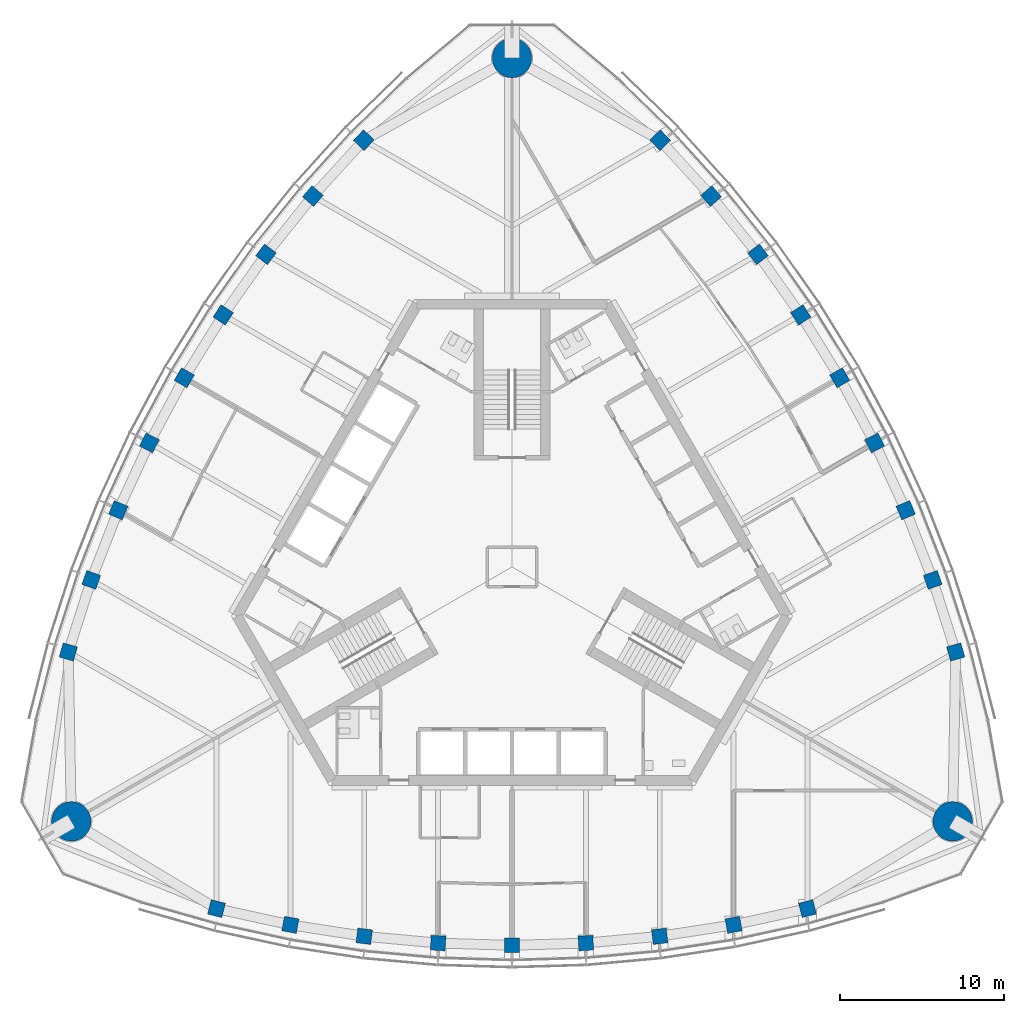
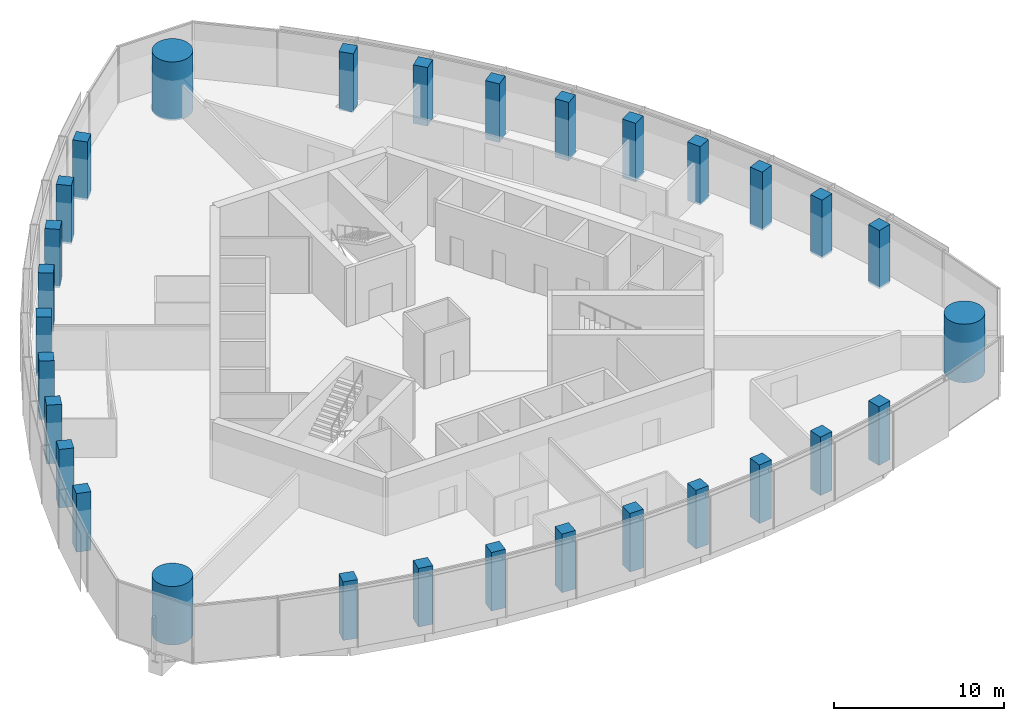
# One storey, part 1 of 16: 30 columns.
"""IFC4 building model written with IfcOpenShell, lengths in metres."""

from ifc_helpers import new_model, si_unit, direction, frame, origin, origin_2d, place, context, subcontext, project, spatial, rectangle, circle, extrude, material, material_profile, profile_set, type_object, element, save


model = new_model("IFC4")

# Units and contexts
model_context = context("Model", 3, precision=1e-05, world=origin(), true_north=direction((0.0, 1.0)))
body_context = subcontext(model_context, "Body", "Model", "MODEL_VIEW")
ifc_project = project(units=[si_unit("LENGTHUNIT", "METRE"), si_unit("AREAUNIT", "SQUARE_METRE"), si_unit("VOLUMEUNIT", "CUBIC_METRE"), si_unit("PLANEANGLEUNIT", "RADIAN"), si_unit("MASSUNIT", "GRAM", prefix="KILO")], contexts=[model_context])

# Site, building, storey
site_placement = place(None, origin())
site = spatial("IfcSite", under=ifc_project, at=site_placement, CompositionType="ELEMENT")
building_placement = place(site_placement, origin())
building = spatial("IfcBuilding", under=site, at=building_placement, Name="Trefoil Bronze Tower", CompositionType="ELEMENT")
storey_placement = place(building_placement, frame((0.0, 0.0, 314.10009765625)))
storey = spatial("IfcBuildingStorey", under=building, at=storey_placement, Name="L72", CompositionType="ELEMENT", Elevation=314.10009765625)

# Columns
ifc_material_1 = material(Name="Concrete B80", Category="concrete")
ifc_material_profile_1 = material_profile(ifc_material_1, circle(Radius=1.199951171875, at=origin_2d()), Name="RC D2400")
ifc_profile_set_1 = profile_set([ifc_material_profile_1], Name="Concrete B80")
column_type_1 = type_object("IfcColumnType", Name="Mega column RC D2400", PredefinedType="COLUMN", material=ifc_profile_set_1)
for number, where, z_axis, x_axis, name in (
    (1, (26.8466796875, -15.5, 0.0), (0.0, 0.0, 1.0), (1.0, 0.0, 0.0), "Mega column K1 L72"),
    (2, (0.0, 31.0, 0.0), (0.0, 0.0, 1.0), (1.0, 0.0, 0.0), "Mega column K2 L72"),
    (3, (-26.8466796875, -15.5, 0.0), (0.0, 0.0, 1.0), (1.0, 0.0, 0.0), "Mega column K3 L72"),
):
    element("IfcColumn", number, at=place(storey_placement, frame(where, z_axis=z_axis, x_axis=x_axis)), inside=storey, type_object=column_type_1, Name=name, PredefinedType="COLUMN", context=body_context, shape_type="SweptSolid", body=[
        extrude(circle(Radius=1.199951171875, at=origin_2d()), origin(), (0.0, 0.0, 1.0), 4.199951171875),
    ])
ifc_material_2 = material(Name="Concrete B80", Category="concrete")
ifc_material_profile_2 = material_profile(ifc_material_2, rectangle(XDim=0.89990234375, YDim=0.89990234375, at=origin_2d()), Name="RC 900x900")
ifc_profile_set_2 = profile_set([ifc_material_profile_2], Name="Concrete B80")
column_type_2 = type_object("IfcColumnType", Name="Tube column RC 900x900", PredefinedType="COLUMN", material=ifc_profile_set_2)
for number, where, z_axis, x_axis, name in (
    (4, (-18.0, -20.816162109375, 0.0), (0.0, 0.0, 1.0), (0.97017777199, -0.242394494031, 0.0), "Tube column F1/-4 L72"),
    (5, (-13.5, -21.802734375, 0.0), (0.0, 0.0, 1.0), (0.983360067227, -0.181667218242, 0.0), "Tube column F1/-3 L72"),
    (6, (-9.0, -22.499267578125, 0.0), (0.0, 0.0, 1.0), (0.992639174109, -0.121109330868, 0.0), "Tube column F1/-2 L72"),
    (7, (-4.5, -22.913818359375, 0.0), (0.0, 0.0, 1.0), (0.998164920349, -0.060554040199, 0.0), "Tube column F1/-1 L72"),
    (8, (0.0, -23.051513671875, 0.0), (0.0, 0.0, 1.0), (1.0, 0.0, 0.0), "Tube column F1/+0 L72"),
    (9, (4.5, -22.913818359375, 0.0), (0.0, 0.0, 1.0), (0.998164920349, 0.060554040199, 0.0), "Tube column F1/+1 L72"),
    (10, (9.0, -22.499267578125, 0.0), (0.0, 0.0, 1.0), (0.992639174109, 0.121109330868, 0.0), "Tube column F1/+2 L72"),
    (11, (13.5, -21.802734375, 0.0), (0.0, 0.0, 1.0), (0.983360067227, 0.181667218242, 0.0), "Tube column F1/+3 L72"),
    (12, (18.0, -20.816162109375, 0.0), (0.0, 0.0, 1.0), (0.97017777199, 0.242394494031, 0.0), "Tube column F1/+4 L72"),
    (13, (27.02734375, -5.180419921875, 0.0), (0.0, 0.0, 1.0), (-0.275169096426, 0.961395843746, 0.0), "Tube column F2/-4 L72"),
    (14, (25.631591796875, -0.7900390625, 0.0), (0.0, 0.0, 1.0), (-0.334351607581, 0.942448408407, 0.0), "Tube column F2/-3 L72"),
    (15, (23.98486328125, 3.455322265625, 0.0), (0.0, 0.0, 1.0), (-0.391435829888, 0.920205407004, 0.0), "Tube column F2/-2 L72"),
    (16, (22.093994140625, 7.559814453125, 0.0), (0.0, 0.0, 1.0), (-0.44664112306, 0.894713198289, 0.0), "Tube column F2/-1 L72"),
    (17, (19.96337890625, 11.52587890625, 0.0), (0.0, 0.0, 1.0), (-0.5, 0.866025403784, 0.0), "Tube column F2/+0 L72"),
    (18, (17.593994140625, 15.35400390625, 0.0), (0.0, 0.0, 1.0), (-0.551523797289, 0.834159158089, 0.0), "Tube column F2/+1 L72"),
    (19, (14.98486328125, 19.043701171875, 0.0), (0.0, 0.0, 1.0), (-0.601203344222, 0.799096076136, 0.0), "Tube column F2/+2 L72"),
    (20, (12.131591796875, 22.5927734375, 0.0), (0.0, 0.0, 1.0), (-0.649008459646, 0.760781190165, 0.0), "Tube column F2/+3 L72"),
    (21, (9.02734375, 25.99658203125, 0.0), (0.0, 0.0, 1.0), (-0.695008675564, 0.719001349715, 0.0), "Tube column F2/+4 L72"),
    (22, (-9.02734375, 25.99658203125, 0.0), (0.0, 0.0, 1.0), (-0.695008675564, -0.719001349715, 0.0), "Tube column F3/-4 L72"),
    (23, (-12.131591796875, 22.5927734375, 0.0), (0.0, 0.0, 1.0), (-0.649008459646, -0.760781190165, 0.0), "Tube column F3/-3 L72"),
    (24, (-14.98486328125, 19.043701171875, 0.0), (0.0, 0.0, 1.0), (-0.601203344222, -0.799096076136, 0.0), "Tube column F3/-2 L72"),
    (25, (-17.593994140625, 15.35400390625, 0.0), (0.0, 0.0, 1.0), (-0.551523797289, -0.834159158089, 0.0), "Tube column F3/-1 L72"),
    (26, (-19.96337890625, 11.52587890625, 0.0), (0.0, 0.0, 1.0), (-0.5, -0.866025403784, 0.0), "Tube column F3/+0 L72"),
    (27, (-22.093994140625, 7.559814453125, 0.0), (0.0, 0.0, 1.0), (-0.44664112306, -0.894713198289, 0.0), "Tube column F3/+1 L72"),
    (28, (-23.98486328125, 3.455322265625, 0.0), (0.0, 0.0, 1.0), (-0.391435829888, -0.920205407004, 0.0), "Tube column F3/+2 L72"),
    (29, (-25.631591796875, -0.7900390625, 0.0), (0.0, 0.0, 1.0), (-0.334351607581, -0.942448408407, 0.0), "Tube column F3/+3 L72"),
    (30, (-27.02734375, -5.180419921875, 0.0), (0.0, 0.0, 1.0), (-0.275169096426, -0.961395843746, 0.0), "Tube column F3/+4 L72"),
):
    element("IfcColumn", number, at=place(storey_placement, frame(where, z_axis=z_axis, x_axis=x_axis)), inside=storey, type_object=column_type_2, Name=name, PredefinedType="COLUMN", context=body_context, shape_type="SweptSolid", body=[
        extrude(rectangle(XDim=0.89990234375, YDim=0.89990234375, at=origin_2d()), origin(), (0.0, 0.0, 1.0), 4.199951171875),
    ])

save(model, "model.ifc")
